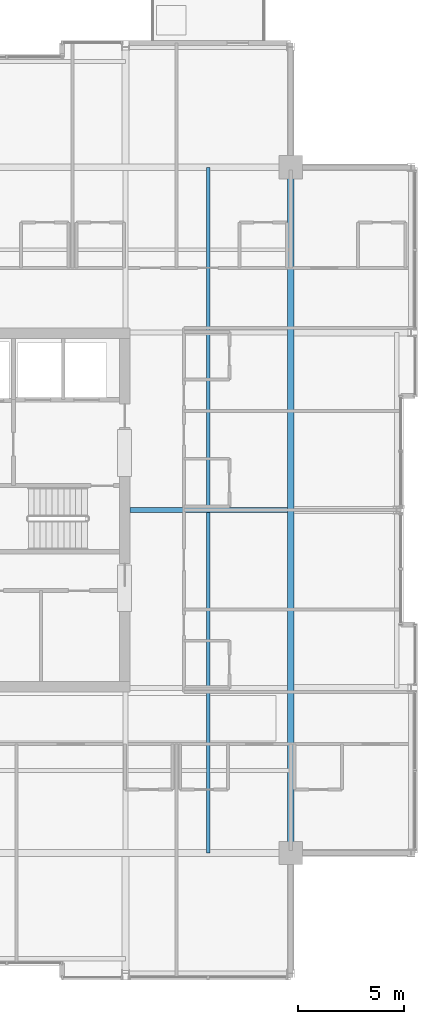
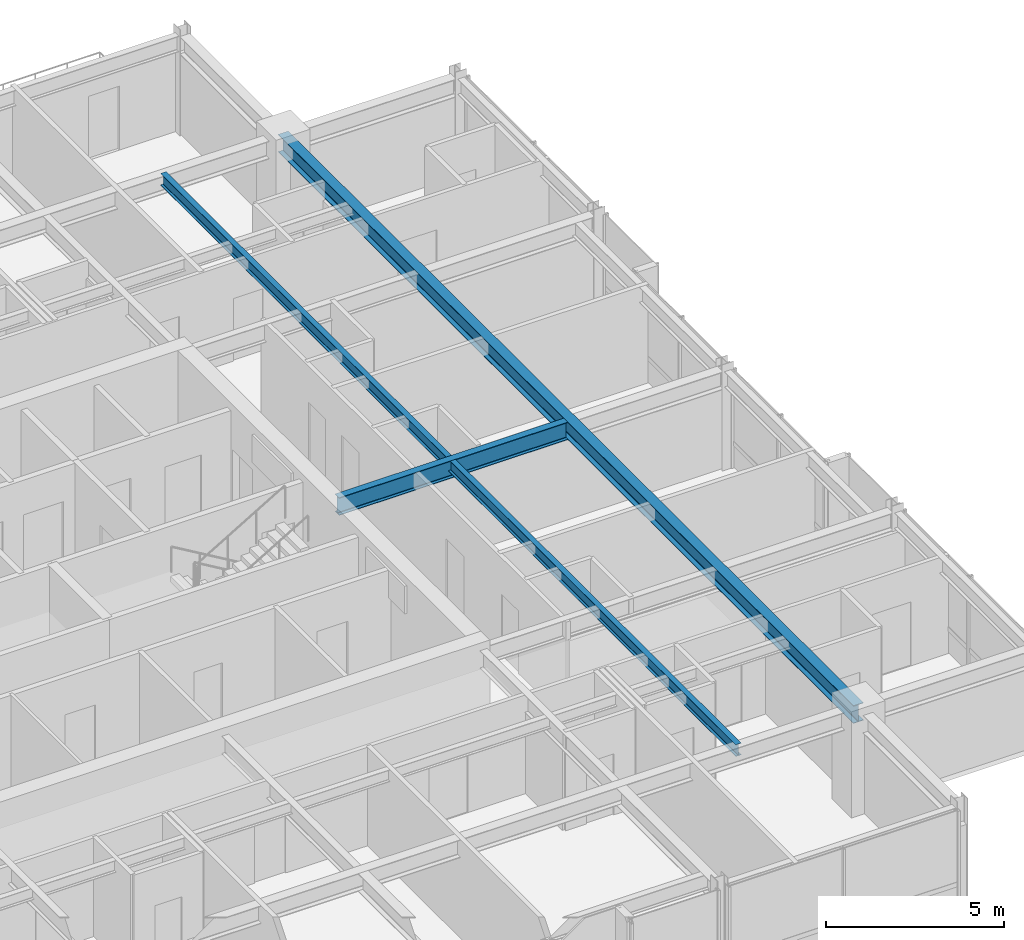
# One storey, part 18 of 34: 3 beams.
"""IFC4 building model written with IfcOpenShell, lengths in metres."""

from ifc_helpers import new_model, si_unit, direction, frame, origin, origin_2d, place, context, subcontext, project, spatial, i_section, extrude, material, material_profile, profile_set, type_object, element, save


model = new_model("IFC4")

# Units and contexts
model_context = context("Model", 3, precision=1e-05, world=origin(), true_north=direction((0.0, 1.0)))
body_context = subcontext(model_context, "Body", "Model", "MODEL_VIEW")
ifc_project = project(units=[si_unit("LENGTHUNIT", "METRE"), si_unit("AREAUNIT", "SQUARE_METRE"), si_unit("VOLUMEUNIT", "CUBIC_METRE"), si_unit("PLANEANGLEUNIT", "RADIAN"), si_unit("MASSUNIT", "GRAM", prefix="KILO")], contexts=[model_context])

# Site, building, storey
site_placement = place(None, origin())
site = spatial("IfcSite", under=ifc_project, at=site_placement, CompositionType="ELEMENT")
building_placement = place(site_placement, origin())
building = spatial("IfcBuilding", under=site, at=building_placement, Name="Drelvath Grand Hotel", CompositionType="ELEMENT")
storey_placement = place(building_placement, frame((0.0, 0.0, 272.300048828125)))
storey = spatial("IfcBuildingStorey", under=building, at=storey_placement, Name="L71", CompositionType="ELEMENT", Elevation=272.300048828125)

# Beams
ifc_material = material(Name="Steel ASTM A992 Gr 50", Category="steel")
ifc_material_profile_1 = material_profile(ifc_material, i_section(OverallWidth=0.177734375, OverallDepth=0.40673828125, WebThickness=0.0078125, FlangeThickness=0.0126953125, FilletRadius=0.014892578125, at=origin_2d()), Name="W16X40")
ifc_profile_set_1 = profile_set([ifc_material_profile_1], Name="Steel ASTM A992 Gr 50")
beam_type_1 = type_object("IfcBeamType", Name="Composite Floor Joist W16X40", PredefinedType="JOIST", material=ifc_profile_set_1)
beam_1_placement = place(storey_placement, frame((12.300048828125, 10.800048828125, 3.1865234375), z_axis=(0.0, 1.0, 0.0), x_axis=(-1.0, 0.0, 0.0)))
element("IfcBeam", 1, at=beam_1_placement, inside=storey, type_object=beam_type_1, Name="L71 Wing Floor Joist J4", PredefinedType="JOIST", context=body_context, shape_type="SweptSolid", body=[
    extrude(i_section(OverallWidth=0.177734375, OverallDepth=0.40673828125, WebThickness=0.0078125, FlangeThickness=0.0126953125, FilletRadius=0.014892578125, at=origin_2d()), origin(), (0.0, 0.0, 1.0), 32.39990234375),
])
ifc_material_profile_2 = material_profile(ifc_material, i_section(OverallWidth=0.323974609375, OverallDepth=0.611083984375, WebThickness=0.0126953125, FlangeThickness=0.01904296875, FilletRadius=0.02197265625, at=origin_2d()), Name="W24X104")
ifc_profile_set_2 = profile_set([ifc_material_profile_2], Name="Steel ASTM A992 Gr 50")
beam_type_2 = type_object("IfcBeamType", Name="Primary Floor Girder W24X104", PredefinedType="BEAM", material=ifc_profile_set_2)
beam_2_placement = place(storey_placement, frame((16.199951171875, 10.800048828125, 3.08447265625), z_axis=(0.0, 1.0, 0.0), x_axis=(-1.0, 0.0, 0.0)))
element("IfcBeam", 2, at=beam_2_placement, inside=storey, type_object=beam_type_2, Name="L71 Mega Ring Girder East", PredefinedType="BEAM", context=body_context, shape_type="SweptSolid", body=[
    extrude(i_section(OverallWidth=0.323974609375, OverallDepth=0.611083984375, WebThickness=0.0126953125, FlangeThickness=0.01904296875, FilletRadius=0.02197265625, at=origin_2d()), origin(), (0.0, 0.0, 1.0), 32.39990234375),
])
ifc_material_profile_3 = material_profile(ifc_material, i_section(OverallWidth=0.228271484375, OverallDepth=0.607666015625, WebThickness=0.01123046875, FlangeThickness=0.017333984375, FilletRadius=0.02001953125, at=origin_2d()), Name="W24X76")
ifc_profile_set_3 = profile_set([ifc_material_profile_3], Name="Steel ASTM A992 Gr 50")
beam_type_3 = type_object("IfcBeamType", Name="Primary Floor Girder W24X76", PredefinedType="BEAM", material=ifc_profile_set_3)
beam_3_placement = place(storey_placement, frame((8.60009765625, 27.0, 3.086181640625), z_axis=(1.0, 0.0, 0.0), x_axis=(0.0, 1.0, 0.0)))
element("IfcBeam", 3, at=beam_3_placement, inside=storey, type_object=beam_type_3, Name="L71 East Core Tie E", PredefinedType="BEAM", context=body_context, shape_type="SweptSolid", body=[
    extrude(i_section(OverallWidth=0.228271484375, OverallDepth=0.607666015625, WebThickness=0.01123046875, FlangeThickness=0.017333984375, FilletRadius=0.02001953125, at=origin_2d()), origin(), (0.0, 0.0, 1.0), 7.43798828125),
])

save(model, "model.ifc")
